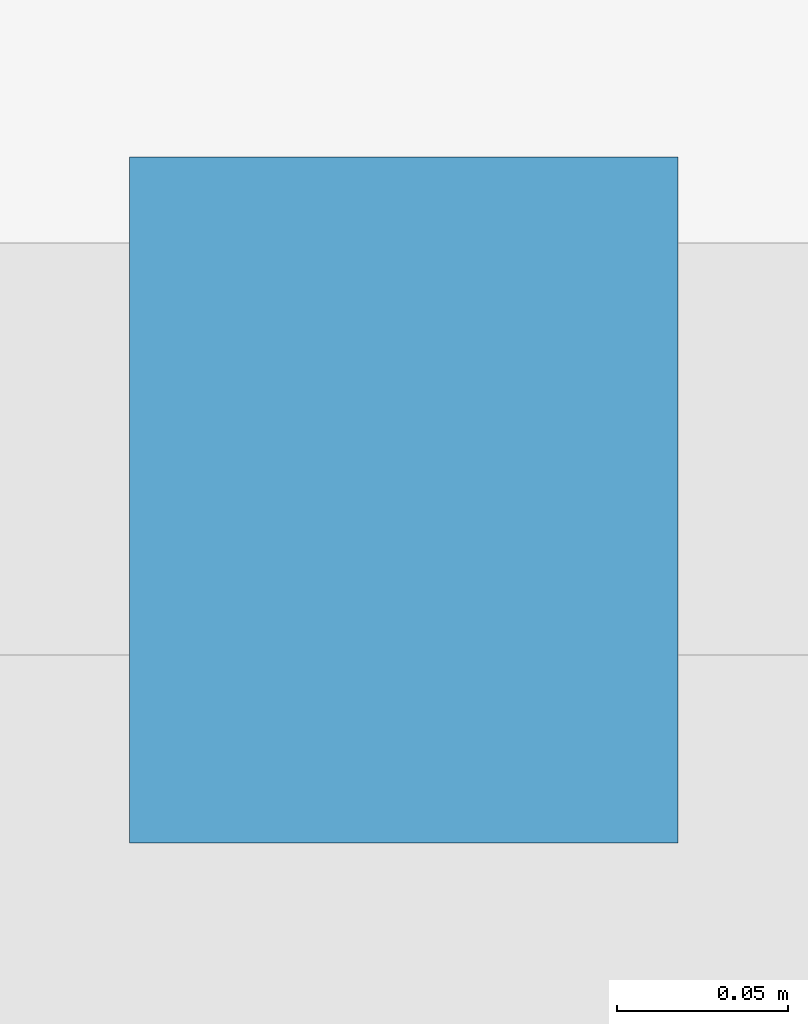
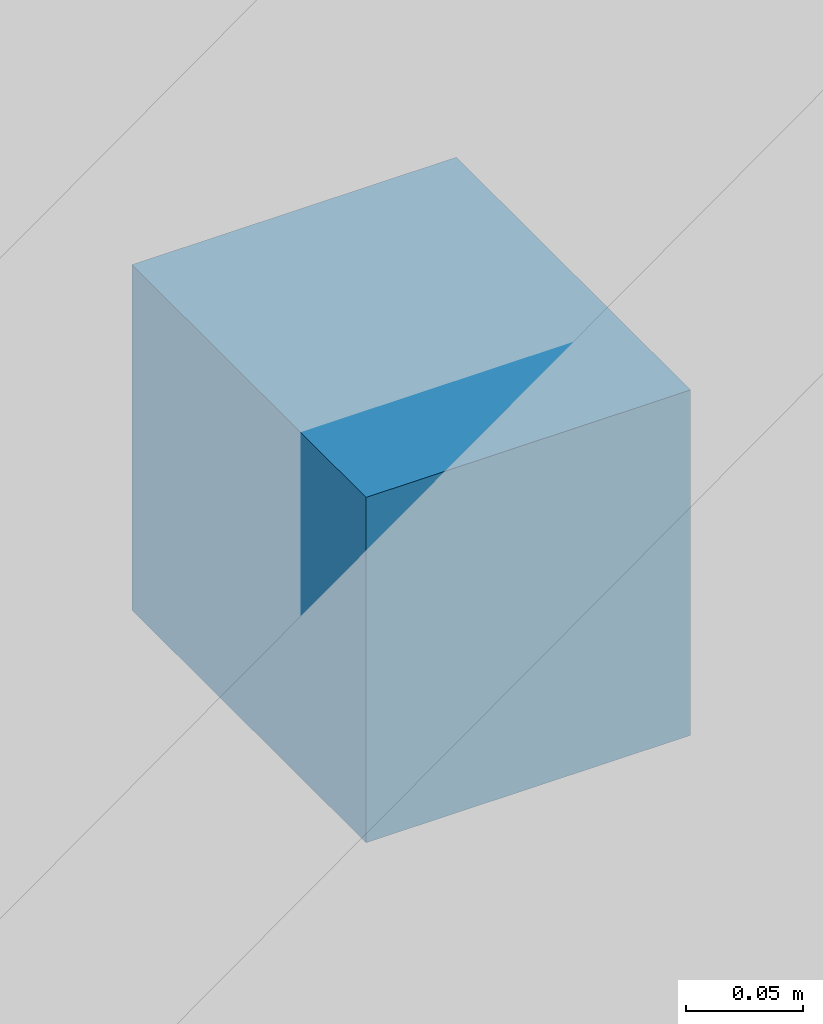
# One storey, part 9 of 12: 1 discrete accessory.
"""IFC4 building model written with IfcOpenShell, lengths in metres."""

from ifc_helpers import new_model, si_unit, direction, frame, origin, origin_2d, place, context, subcontext, project, spatial, rectangle, extrude, material, type_object, element, save


model = new_model("IFC4")

# Units and contexts
model_context = context("Model", 3, precision=1e-05, world=origin(), true_north=direction((0.0, 1.0)))
body_context = subcontext(model_context, "Body", "Model", "MODEL_VIEW")
ifc_project = project(units=[si_unit("LENGTHUNIT", "METRE"), si_unit("AREAUNIT", "SQUARE_METRE"), si_unit("VOLUMEUNIT", "CUBIC_METRE"), si_unit("PLANEANGLEUNIT", "RADIAN"), si_unit("MASSUNIT", "GRAM", prefix="KILO")], contexts=[model_context])

# Site, building, storey
site_placement = place(None, origin())
site = spatial("IfcSite", under=ifc_project, at=site_placement, CompositionType="ELEMENT")
building_placement = place(site_placement, origin())
building = spatial("IfcBuilding", under=site, at=building_placement, Name="Koriwani Terraces Tower", CompositionType="ELEMENT")
storey_placement = place(building_placement, frame((0.0, 0.0, 241.60009765625)))
storey = spatial("IfcBuildingStorey", under=building, at=storey_placement, Name="L59", CompositionType="ELEMENT", Elevation=241.60009765625)

# Discrete accessory
ifc_material = material(Name="Steel ASTM A572 Grade 50", Category="steel")
discrete_accessory_type = type_object("IfcDiscreteAccessoryType", Name="BAGUETTE_STANDOFF_BRACKET", PredefinedType="BRACKET", material=ifc_material)
discrete_accessory_placement = place(storey_placement, frame((46.199951171875, 8.7900390625, 1.64501953125), z_axis=(0.0, 0.0, 1.0), x_axis=(-1.0, 0.0, 0.0)))
element("IfcDiscreteAccessory", 1, at=discrete_accessory_placement, inside=storey, type_object=discrete_accessory_type, Name="L59 Terracotta Baguette Bracket (S-12)", PredefinedType="BRACKET", context=body_context, shape_type="SweptSolid", body=[
    extrude(rectangle(XDim=0.159912109375, YDim=0.199951171875, at=origin_2d()), origin(), (0.0, 0.0, 1.0), 0.179931640625),
])

save(model, "model.ifc")
